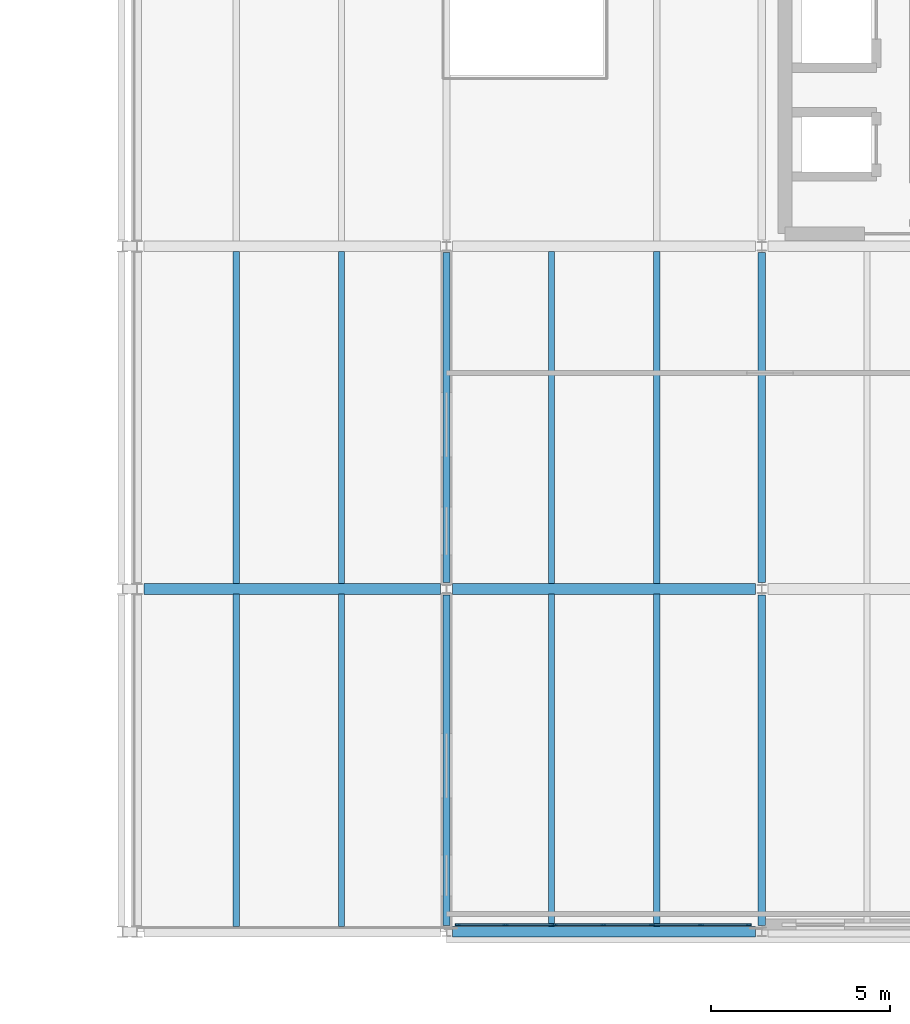
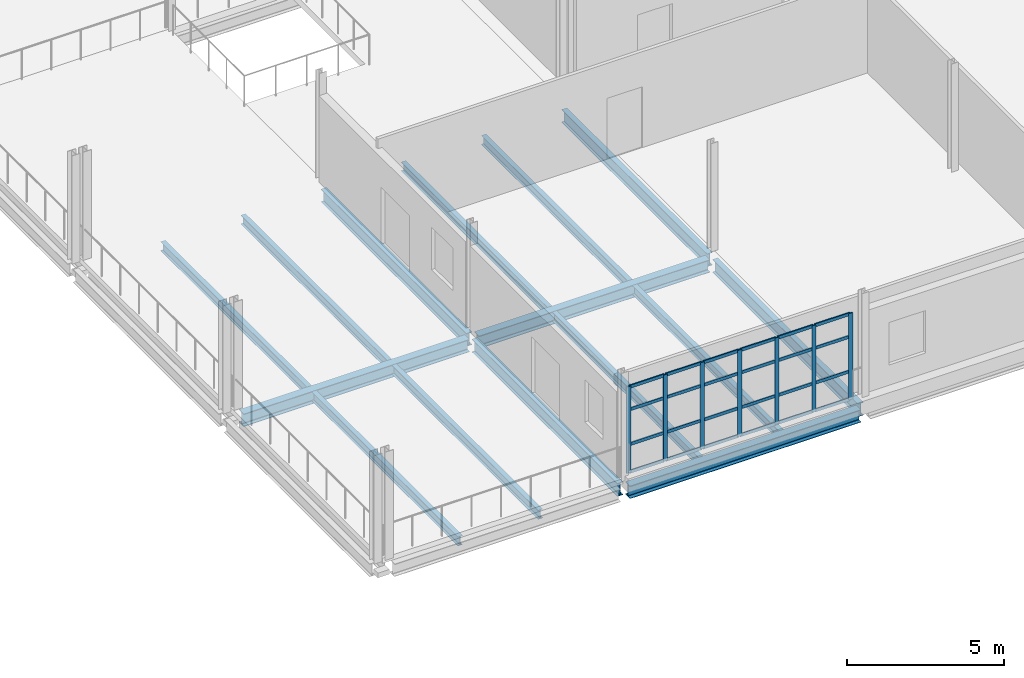
# One storey, part 29 of 58: 31 members, 15 beams, 1 element without a shape of its own.
"""IFC4 building model written with IfcOpenShell, lengths in metres."""

from ifc_helpers import new_model, si_unit, direction, frame, origin, origin_2d, place, context, subcontext, project, spatial, rectangle, i_section, extrude, material, layer, layer_set, material_profile, profile_set, type_object, element, aggregate, save


model = new_model("IFC4")

# Units and contexts
model_context = context("Model", 3, precision=1e-05, world=origin(), true_north=direction((0.0, 1.0)))
body_context = subcontext(model_context, "Body", "Model", "MODEL_VIEW")
ifc_project = project(units=[si_unit("LENGTHUNIT", "METRE"), si_unit("AREAUNIT", "SQUARE_METRE"), si_unit("VOLUMEUNIT", "CUBIC_METRE"), si_unit("PLANEANGLEUNIT", "RADIAN"), si_unit("MASSUNIT", "GRAM", prefix="KILO")], contexts=[model_context])

# Site, building, storey
site_placement = place(None, origin())
site = spatial("IfcSite", under=ifc_project, at=site_placement, CompositionType="ELEMENT")
building_placement = place(site_placement, origin())
building = spatial("IfcBuilding", under=site, at=building_placement, Name="Yeouljin Market Hall", CompositionType="ELEMENT")
storey_placement = place(building_placement, frame((0.0, 0.0, 10.800048828125)))
storey = spatial("IfcBuildingStorey", under=building, at=storey_placement, Name="L02", CompositionType="ELEMENT", Elevation=10.800048828125)

# Beams
ifc_material_1 = material(Name="Steel SM355", Category="steel")
ifc_material_profile_1 = material_profile(ifc_material_1, i_section(OverallWidth=0.199951171875, OverallDepth=0.5, WebThickness=0.010009765625, FlangeThickness=0.01611328125, FilletRadius=0.02001953125, at=origin_2d()), Name="H-500x200x10x16")
ifc_profile_set_1 = profile_set([ifc_material_profile_1], Name="Steel SM355")
beam_type_1 = type_object("IfcBeamType", Name="Beam_H-500x200x10x16", PredefinedType="BEAM", material=ifc_profile_set_1)
for number, where, z_axis, x_axis, name in (
    (1, (149.909912109375, 0.175048828125, -0.51513671875), (0.0, 1.0, 0.0), (-1.0, 0.0, 0.0), "Primary beam BM-L02-Y139"),
    (2, (149.909912109375, 9.77490234375, -0.51513671875), (0.0, 1.0, 0.0), (-1.0, 0.0, 0.0), "Primary beam BM-L02-Y140"),
    (3, (158.739990234375, 0.175048828125, -0.51513671875), (0.0, 1.0, 0.0), (-1.0, 0.0, 0.0), "Primary beam BM-L02-Y142"),
    (4, (158.739990234375, 9.77490234375, -0.51513671875), (0.0, 1.0, 0.0), (-1.0, 0.0, 0.0), "Primary beam BM-L02-Y143"),
):
    element("IfcBeam", number, at=place(storey_placement, frame(where, z_axis=z_axis, x_axis=x_axis)), inside=storey, type_object=beam_type_1, Name=name, PredefinedType="BEAM", context=body_context, shape_type="SweptSolid", body=[
        extrude(i_section(OverallWidth=0.199951171875, OverallDepth=0.5, WebThickness=0.010009765625, FlangeThickness=0.01611328125, FilletRadius=0.02001953125, at=origin_2d()), origin(), (0.0, 0.0, 1.0), 9.25),
    ])

# Curtain wall, members
ifc_material_2 = material(Name="Thermally Broken Aluminium", Category="aluminium")
ifc_layer = layer(ifc_material_2, 0.14990234375)
ifc_layer_set = layer_set([ifc_layer], Name="Thermally Broken Aluminium")
curtain_wall_type = type_object("IfcCurtainWallType", Name="CW_AcademyRibbon_System", PredefinedType="USERDEFINED", material=ifc_layer_set)
curtain_wall_placement = place(storey_placement, origin())
curtain_wall = element("IfcCurtainWall", 5, at=curtain_wall_placement, inside=storey, type_object=curtain_wall_type, Name="Curtain wall CW-L02-W10", ObjectType="CURTAIN WALL", PredefinedType="USERDEFINED")
ifc_material_3 = material(Name="Thermally Broken Aluminium", Category="aluminium")
ifc_material_profile_2 = material_profile(ifc_material_3, rectangle(XDim=0.048095703125, YDim=0.14990234375, at=origin_2d()), Name="CW-MULL-48x150")
ifc_profile_set_2 = profile_set([ifc_material_profile_2], Name="Thermally Broken Aluminium")
member_type_1 = type_object("IfcMemberType", Name="CWMullion_48x150", PredefinedType="MULLION", material=ifc_profile_set_2)
member_1_placement = place(storey_placement, frame((158.3759765625, 0.199951171875, 0.0), z_axis=(0.0, 0.0, 1.0), x_axis=(0.0, -1.0, 0.0)))
member_1 = element("IfcMember", 6, at=member_1_placement, type_object=member_type_1, Name="CW-05 mullion 1", PredefinedType="MULLION", context=body_context, shape_type="SweptSolid", body=[
    extrude(rectangle(XDim=0.048095703125, YDim=0.14990234375, at=origin_2d()), origin(), (0.0, 0.0, 1.0), 3.349853515625),
])
member_2_placement = place(storey_placement, frame((157.033447265625, 0.199951171875, 0.0), z_axis=(0.0, 0.0, 1.0), x_axis=(0.0, -1.0, 0.0)))
member_2 = element("IfcMember", 7, at=member_2_placement, type_object=member_type_1, Name="CW-05 mullion 2", PredefinedType="MULLION", context=body_context, shape_type="SweptSolid", body=[
    extrude(rectangle(XDim=0.048095703125, YDim=0.14990234375, at=origin_2d()), origin(), (0.0, 0.0, 1.0), 3.349853515625),
])
member_3_placement = place(storey_placement, frame((155.666748046875, 0.199951171875, 0.0), z_axis=(0.0, 0.0, 1.0), x_axis=(0.0, -1.0, 0.0)))
member_3 = element("IfcMember", 8, at=member_3_placement, type_object=member_type_1, Name="CW-05 mullion 3", PredefinedType="MULLION", context=body_context, shape_type="SweptSolid", body=[
    extrude(rectangle(XDim=0.048095703125, YDim=0.14990234375, at=origin_2d()), origin(), (0.0, 0.0, 1.0), 3.349853515625),
])
member_4_placement = place(storey_placement, frame((154.300048828125, 0.199951171875, 0.0), z_axis=(0.0, 0.0, 1.0), x_axis=(0.0, -1.0, 0.0)))
member_4 = element("IfcMember", 9, at=member_4_placement, type_object=member_type_1, Name="CW-05 mullion 4", PredefinedType="MULLION", context=body_context, shape_type="SweptSolid", body=[
    extrude(rectangle(XDim=0.048095703125, YDim=0.14990234375, at=origin_2d()), origin(), (0.0, 0.0, 1.0), 3.349853515625),
])
member_5_placement = place(storey_placement, frame((152.933349609375, 0.199951171875, 0.0), z_axis=(0.0, 0.0, 1.0), x_axis=(0.0, -1.0, 0.0)))
member_5 = element("IfcMember", 10, at=member_5_placement, type_object=member_type_1, Name="CW-05 mullion 5", PredefinedType="MULLION", context=body_context, shape_type="SweptSolid", body=[
    extrude(rectangle(XDim=0.048095703125, YDim=0.14990234375, at=origin_2d()), origin(), (0.0, 0.0, 1.0), 3.349853515625),
])
member_6_placement = place(storey_placement, frame((151.566650390625, 0.199951171875, 0.0), z_axis=(0.0, 0.0, 1.0), x_axis=(0.0, -1.0, 0.0)))
member_6 = element("IfcMember", 11, at=member_6_placement, type_object=member_type_1, Name="CW-05 mullion 6", PredefinedType="MULLION", context=body_context, shape_type="SweptSolid", body=[
    extrude(rectangle(XDim=0.048095703125, YDim=0.14990234375, at=origin_2d()), origin(), (0.0, 0.0, 1.0), 3.349853515625),
])
member_7_placement = place(storey_placement, frame((150.22412109375, 0.199951171875, 0.0), z_axis=(0.0, 0.0, 1.0), x_axis=(0.0, -1.0, 0.0)))
member_7 = element("IfcMember", 12, at=member_7_placement, type_object=member_type_1, Name="CW-05 mullion 7", PredefinedType="MULLION", context=body_context, shape_type="SweptSolid", body=[
    extrude(rectangle(XDim=0.048095703125, YDim=0.14990234375, at=origin_2d()), origin(), (0.0, 0.0, 1.0), 3.349853515625),
])
ifc_material_4 = material(Name="Thermally Broken Aluminium", Category="aluminium")
ifc_material_profile_3 = material_profile(ifc_material_4, rectangle(XDim=0.048095703125, YDim=0.1201171875, at=origin_2d()), Name="CW-TRAN-48x120")
ifc_profile_set_3 = profile_set([ifc_material_profile_3], Name="Thermally Broken Aluminium")
member_type_2 = type_object("IfcMemberType", Name="CWTransom_48x120", PredefinedType="USERDEFINED", material=ifc_profile_set_3)
member_8_placement = place(storey_placement, frame((158.35205078125, 0.199951171875, 0.02392578125), z_axis=(-1.0, 0.0, 0.0), x_axis=(0.0, -1.0, 0.0)))
member_8 = element("IfcMember", 13, at=member_8_placement, type_object=member_type_2, Name="CW-05 transom 1.1", ObjectType="TRANSOM", PredefinedType="USERDEFINED", context=body_context, shape_type="SweptSolid", body=[
    extrude(rectangle(XDim=0.048095703125, YDim=0.1201171875, at=origin_2d()), origin(), (0.0, 0.0, 1.0), 1.294677734375),
])
member_9_placement = place(storey_placement, frame((158.35205078125, 0.199951171875, 1.099853515625), z_axis=(-1.0, 0.0, 0.0), x_axis=(0.0, -1.0, 0.0)))
member_9 = element("IfcMember", 14, at=member_9_placement, type_object=member_type_2, Name="CW-05 transom 1.2", ObjectType="TRANSOM", PredefinedType="USERDEFINED", context=body_context, shape_type="SweptSolid", body=[
    extrude(rectangle(XDim=0.048095703125, YDim=0.1201171875, at=origin_2d()), origin(), (0.0, 0.0, 1.0), 1.294677734375),
])
member_10_placement = place(storey_placement, frame((158.35205078125, 0.199951171875, 2.449951171875), z_axis=(-1.0, 0.0, 0.0), x_axis=(0.0, -1.0, 0.0)))
member_10 = element("IfcMember", 15, at=member_10_placement, type_object=member_type_2, Name="CW-05 transom 1.3", ObjectType="TRANSOM", PredefinedType="USERDEFINED", context=body_context, shape_type="SweptSolid", body=[
    extrude(rectangle(XDim=0.048095703125, YDim=0.1201171875, at=origin_2d()), origin(), (0.0, 0.0, 1.0), 1.294677734375),
])
member_11_placement = place(storey_placement, frame((158.35205078125, 0.199951171875, 3.325927734375), z_axis=(-1.0, 0.0, 0.0), x_axis=(0.0, -1.0, 0.0)))
member_11 = element("IfcMember", 16, at=member_11_placement, type_object=member_type_2, Name="CW-05 transom 1.4", ObjectType="TRANSOM", PredefinedType="USERDEFINED", context=body_context, shape_type="SweptSolid", body=[
    extrude(rectangle(XDim=0.048095703125, YDim=0.1201171875, at=origin_2d()), origin(), (0.0, 0.0, 1.0), 1.294677734375),
])
member_12_placement = place(storey_placement, frame((157.00927734375, 0.199951171875, 0.02392578125), z_axis=(-1.0, 0.0, 0.0), x_axis=(0.0, -1.0, 0.0)))
member_12 = element("IfcMember", 17, at=member_12_placement, type_object=member_type_2, Name="CW-05 transom 2.1", ObjectType="TRANSOM", PredefinedType="USERDEFINED", context=body_context, shape_type="SweptSolid", body=[
    extrude(rectangle(XDim=0.048095703125, YDim=0.1201171875, at=origin_2d()), origin(), (0.0, 0.0, 1.0), 1.318603515625),
])
member_13_placement = place(storey_placement, frame((157.00927734375, 0.199951171875, 1.099853515625), z_axis=(-1.0, 0.0, 0.0), x_axis=(0.0, -1.0, 0.0)))
member_13 = element("IfcMember", 18, at=member_13_placement, type_object=member_type_2, Name="CW-05 transom 2.2", ObjectType="TRANSOM", PredefinedType="USERDEFINED", context=body_context, shape_type="SweptSolid", body=[
    extrude(rectangle(XDim=0.048095703125, YDim=0.1201171875, at=origin_2d()), origin(), (0.0, 0.0, 1.0), 1.318603515625),
])
member_14_placement = place(storey_placement, frame((157.00927734375, 0.199951171875, 2.449951171875), z_axis=(-1.0, 0.0, 0.0), x_axis=(0.0, -1.0, 0.0)))
member_14 = element("IfcMember", 19, at=member_14_placement, type_object=member_type_2, Name="CW-05 transom 2.3", ObjectType="TRANSOM", PredefinedType="USERDEFINED", context=body_context, shape_type="SweptSolid", body=[
    extrude(rectangle(XDim=0.048095703125, YDim=0.1201171875, at=origin_2d()), origin(), (0.0, 0.0, 1.0), 1.318603515625),
])
member_15_placement = place(storey_placement, frame((157.00927734375, 0.199951171875, 3.325927734375), z_axis=(-1.0, 0.0, 0.0), x_axis=(0.0, -1.0, 0.0)))
member_15 = element("IfcMember", 20, at=member_15_placement, type_object=member_type_2, Name="CW-05 transom 2.4", ObjectType="TRANSOM", PredefinedType="USERDEFINED", context=body_context, shape_type="SweptSolid", body=[
    extrude(rectangle(XDim=0.048095703125, YDim=0.1201171875, at=origin_2d()), origin(), (0.0, 0.0, 1.0), 1.318603515625),
])
member_16_placement = place(storey_placement, frame((155.642578125, 0.199951171875, 0.02392578125), z_axis=(-1.0, 0.0, 0.0), x_axis=(0.0, -1.0, 0.0)))
member_16 = element("IfcMember", 21, at=member_16_placement, type_object=member_type_2, Name="CW-05 transom 3.1", ObjectType="TRANSOM", PredefinedType="USERDEFINED", context=body_context, shape_type="SweptSolid", body=[
    extrude(rectangle(XDim=0.048095703125, YDim=0.1201171875, at=origin_2d()), origin(), (0.0, 0.0, 1.0), 1.318603515625),
])
member_17_placement = place(storey_placement, frame((155.642578125, 0.199951171875, 1.099853515625), z_axis=(-1.0, 0.0, 0.0), x_axis=(0.0, -1.0, 0.0)))
member_17 = element("IfcMember", 22, at=member_17_placement, type_object=member_type_2, Name="CW-05 transom 3.2", ObjectType="TRANSOM", PredefinedType="USERDEFINED", context=body_context, shape_type="SweptSolid", body=[
    extrude(rectangle(XDim=0.048095703125, YDim=0.1201171875, at=origin_2d()), origin(), (0.0, 0.0, 1.0), 1.318603515625),
])
member_18_placement = place(storey_placement, frame((155.642578125, 0.199951171875, 2.449951171875), z_axis=(-1.0, 0.0, 0.0), x_axis=(0.0, -1.0, 0.0)))
member_18 = element("IfcMember", 23, at=member_18_placement, type_object=member_type_2, Name="CW-05 transom 3.3", ObjectType="TRANSOM", PredefinedType="USERDEFINED", context=body_context, shape_type="SweptSolid", body=[
    extrude(rectangle(XDim=0.048095703125, YDim=0.1201171875, at=origin_2d()), origin(), (0.0, 0.0, 1.0), 1.318603515625),
])
member_19_placement = place(storey_placement, frame((155.642578125, 0.199951171875, 3.325927734375), z_axis=(-1.0, 0.0, 0.0), x_axis=(0.0, -1.0, 0.0)))
member_19 = element("IfcMember", 24, at=member_19_placement, type_object=member_type_2, Name="CW-05 transom 3.4", ObjectType="TRANSOM", PredefinedType="USERDEFINED", context=body_context, shape_type="SweptSolid", body=[
    extrude(rectangle(XDim=0.048095703125, YDim=0.1201171875, at=origin_2d()), origin(), (0.0, 0.0, 1.0), 1.318603515625),
])
member_20_placement = place(storey_placement, frame((154.27587890625, 0.199951171875, 0.02392578125), z_axis=(-1.0, 0.0, 0.0), x_axis=(0.0, -1.0, 0.0)))
member_20 = element("IfcMember", 25, at=member_20_placement, type_object=member_type_2, Name="CW-05 transom 4.1", ObjectType="TRANSOM", PredefinedType="USERDEFINED", context=body_context, shape_type="SweptSolid", body=[
    extrude(rectangle(XDim=0.048095703125, YDim=0.1201171875, at=origin_2d()), origin(), (0.0, 0.0, 1.0), 1.318603515625),
])
member_21_placement = place(storey_placement, frame((154.27587890625, 0.199951171875, 1.099853515625), z_axis=(-1.0, 0.0, 0.0), x_axis=(0.0, -1.0, 0.0)))
member_21 = element("IfcMember", 26, at=member_21_placement, type_object=member_type_2, Name="CW-05 transom 4.2", ObjectType="TRANSOM", PredefinedType="USERDEFINED", context=body_context, shape_type="SweptSolid", body=[
    extrude(rectangle(XDim=0.048095703125, YDim=0.1201171875, at=origin_2d()), origin(), (0.0, 0.0, 1.0), 1.318603515625),
])
member_22_placement = place(storey_placement, frame((154.27587890625, 0.199951171875, 2.449951171875), z_axis=(-1.0, 0.0, 0.0), x_axis=(0.0, -1.0, 0.0)))
member_22 = element("IfcMember", 27, at=member_22_placement, type_object=member_type_2, Name="CW-05 transom 4.3", ObjectType="TRANSOM", PredefinedType="USERDEFINED", context=body_context, shape_type="SweptSolid", body=[
    extrude(rectangle(XDim=0.048095703125, YDim=0.1201171875, at=origin_2d()), origin(), (0.0, 0.0, 1.0), 1.318603515625),
])
member_23_placement = place(storey_placement, frame((154.27587890625, 0.199951171875, 3.325927734375), z_axis=(-1.0, 0.0, 0.0), x_axis=(0.0, -1.0, 0.0)))
member_23 = element("IfcMember", 28, at=member_23_placement, type_object=member_type_2, Name="CW-05 transom 4.4", ObjectType="TRANSOM", PredefinedType="USERDEFINED", context=body_context, shape_type="SweptSolid", body=[
    extrude(rectangle(XDim=0.048095703125, YDim=0.1201171875, at=origin_2d()), origin(), (0.0, 0.0, 1.0), 1.318603515625),
])
member_24_placement = place(storey_placement, frame((152.909423828125, 0.199951171875, 0.02392578125), z_axis=(-1.0, 0.0, 0.0), x_axis=(0.0, -1.0, 0.0)))
member_24 = element("IfcMember", 29, at=member_24_placement, type_object=member_type_2, Name="CW-05 transom 5.1", ObjectType="TRANSOM", PredefinedType="USERDEFINED", context=body_context, shape_type="SweptSolid", body=[
    extrude(rectangle(XDim=0.048095703125, YDim=0.1201171875, at=origin_2d()), origin(), (0.0, 0.0, 1.0), 1.31884765625),
])
member_25_placement = place(storey_placement, frame((152.909423828125, 0.199951171875, 1.099853515625), z_axis=(-1.0, 0.0, 0.0), x_axis=(0.0, -1.0, 0.0)))
member_25 = element("IfcMember", 30, at=member_25_placement, type_object=member_type_2, Name="CW-05 transom 5.2", ObjectType="TRANSOM", PredefinedType="USERDEFINED", context=body_context, shape_type="SweptSolid", body=[
    extrude(rectangle(XDim=0.048095703125, YDim=0.1201171875, at=origin_2d()), origin(), (0.0, 0.0, 1.0), 1.31884765625),
])
member_26_placement = place(storey_placement, frame((152.909423828125, 0.199951171875, 2.449951171875), z_axis=(-1.0, 0.0, 0.0), x_axis=(0.0, -1.0, 0.0)))
member_26 = element("IfcMember", 31, at=member_26_placement, type_object=member_type_2, Name="CW-05 transom 5.3", ObjectType="TRANSOM", PredefinedType="USERDEFINED", context=body_context, shape_type="SweptSolid", body=[
    extrude(rectangle(XDim=0.048095703125, YDim=0.1201171875, at=origin_2d()), origin(), (0.0, 0.0, 1.0), 1.31884765625),
])
member_27_placement = place(storey_placement, frame((152.909423828125, 0.199951171875, 3.325927734375), z_axis=(-1.0, 0.0, 0.0), x_axis=(0.0, -1.0, 0.0)))
member_27 = element("IfcMember", 32, at=member_27_placement, type_object=member_type_2, Name="CW-05 transom 5.4", ObjectType="TRANSOM", PredefinedType="USERDEFINED", context=body_context, shape_type="SweptSolid", body=[
    extrude(rectangle(XDim=0.048095703125, YDim=0.1201171875, at=origin_2d()), origin(), (0.0, 0.0, 1.0), 1.31884765625),
])
member_28_placement = place(storey_placement, frame((151.542724609375, 0.199951171875, 0.02392578125), z_axis=(-1.0, 0.0, 0.0), x_axis=(0.0, -1.0, 0.0)))
member_28 = element("IfcMember", 33, at=member_28_placement, type_object=member_type_2, Name="CW-05 transom 6.1", ObjectType="TRANSOM", PredefinedType="USERDEFINED", context=body_context, shape_type="SweptSolid", body=[
    extrude(rectangle(XDim=0.048095703125, YDim=0.1201171875, at=origin_2d()), origin(), (0.0, 0.0, 1.0), 1.294677734375),
])
member_29_placement = place(storey_placement, frame((151.542724609375, 0.199951171875, 1.099853515625), z_axis=(-1.0, 0.0, 0.0), x_axis=(0.0, -1.0, 0.0)))
member_29 = element("IfcMember", 34, at=member_29_placement, type_object=member_type_2, Name="CW-05 transom 6.2", ObjectType="TRANSOM", PredefinedType="USERDEFINED", context=body_context, shape_type="SweptSolid", body=[
    extrude(rectangle(XDim=0.048095703125, YDim=0.1201171875, at=origin_2d()), origin(), (0.0, 0.0, 1.0), 1.294677734375),
])
member_30_placement = place(storey_placement, frame((151.542724609375, 0.199951171875, 2.449951171875), z_axis=(-1.0, 0.0, 0.0), x_axis=(0.0, -1.0, 0.0)))
member_30 = element("IfcMember", 35, at=member_30_placement, type_object=member_type_2, Name="CW-05 transom 6.3", ObjectType="TRANSOM", PredefinedType="USERDEFINED", context=body_context, shape_type="SweptSolid", body=[
    extrude(rectangle(XDim=0.048095703125, YDim=0.1201171875, at=origin_2d()), origin(), (0.0, 0.0, 1.0), 1.294677734375),
])
member_31_placement = place(storey_placement, frame((151.542724609375, 0.199951171875, 3.325927734375), z_axis=(-1.0, 0.0, 0.0), x_axis=(0.0, -1.0, 0.0)))
member_31 = element("IfcMember", 36, at=member_31_placement, type_object=member_type_2, Name="CW-05 transom 6.4", ObjectType="TRANSOM", PredefinedType="USERDEFINED", context=body_context, shape_type="SweptSolid", body=[
    extrude(rectangle(XDim=0.048095703125, YDim=0.1201171875, at=origin_2d()), origin(), (0.0, 0.0, 1.0), 1.294677734375),
])
aggregate(curtain_wall, [member_1, member_2, member_3, member_4, member_5, member_6, member_7, member_8, member_9, member_10, member_11, member_12, member_13, member_14, member_15, member_16, member_17, member_18, member_19, member_20, member_21, member_22, member_23, member_24, member_25, member_26, member_27, member_28, member_29, member_30, member_31])

# Beams
ifc_material_5 = material(Name="Steel SM355", Category="steel")
ifc_material_profile_4 = material_profile(ifc_material_5, i_section(OverallWidth=0.300048828125, OverallDepth=0.488037109375, WebThickness=0.010986328125, FlangeThickness=0.01806640625, FilletRadius=0.02197265625, at=origin_2d()), Name="H-488x300x11x18")
ifc_profile_set_4 = profile_set([ifc_material_profile_4], Name="Steel SM355")
beam_type_2 = type_object("IfcBeamType", Name="Girder_H-488x300x11x18", PredefinedType="USERDEFINED", material=ifc_profile_set_4)
beam_1_placement = place(storey_placement, frame((150.0849609375, 0.0, -0.509033203125), z_axis=(1.0, 0.0, 0.0), x_axis=(0.0, 1.0, 0.0)))
element("IfcBeam", 37, at=beam_1_placement, inside=storey, type_object=beam_type_2, Name="Primary girder GRD-L02-X006", ObjectType="GIRDER", PredefinedType="USERDEFINED", context=body_context, shape_type="SweptSolid", body=[
    extrude(i_section(OverallWidth=0.300048828125, OverallDepth=0.488037109375, WebThickness=0.010986328125, FlangeThickness=0.01806640625, FilletRadius=0.02197265625, at=origin_2d()), origin(), (0.0, 0.0, 1.0), 8.47998046875),
])
beam_2_placement = place(storey_placement, frame((141.445068359375, 9.60009765625, -0.509033203125), z_axis=(1.0, 0.0, 0.0), x_axis=(0.0, 1.0, 0.0)))
element("IfcBeam", 38, at=beam_2_placement, inside=storey, type_object=beam_type_2, Name="Primary girder GRD-L02-X013", ObjectType="GIRDER", PredefinedType="USERDEFINED", context=body_context, shape_type="SweptSolid", body=[
    extrude(i_section(OverallWidth=0.300048828125, OverallDepth=0.488037109375, WebThickness=0.010986328125, FlangeThickness=0.01806640625, FilletRadius=0.02197265625, at=origin_2d()), origin(), (0.0, 0.0, 1.0), 8.2900390625),
])
beam_3_placement = place(storey_placement, frame((150.0849609375, 9.60009765625, -0.509033203125), z_axis=(1.0, 0.0, 0.0), x_axis=(0.0, 1.0, 0.0)))
element("IfcBeam", 39, at=beam_3_placement, inside=storey, type_object=beam_type_2, Name="Primary girder GRD-L02-X014", ObjectType="GIRDER", PredefinedType="USERDEFINED", context=body_context, shape_type="SweptSolid", body=[
    extrude(i_section(OverallWidth=0.300048828125, OverallDepth=0.488037109375, WebThickness=0.010986328125, FlangeThickness=0.01806640625, FilletRadius=0.02197265625, at=origin_2d()), origin(), (0.0, 0.0, 1.0), 8.47998046875),
])
ifc_material_6 = material(Name="Steel SM355", Category="steel")
ifc_material_profile_5 = material_profile(ifc_material_6, i_section(OverallWidth=0.175048828125, OverallDepth=0.35009765625, WebThickness=0.007080078125, FlangeThickness=0.010986328125, FilletRadius=0.013916015625, at=origin_2d()), Name="H-350x175x7x11")
ifc_profile_set_5 = profile_set([ifc_material_profile_5], Name="Steel SM355")
beam_type_3 = type_object("IfcBeamType", Name="Joist_H-350x175x7x11", PredefinedType="JOIST", material=ifc_profile_set_5)
for number, where, z_axis, x_axis, name in (
    (40, (144.023193359375, 0.14697265625, -0.43994140625), (0.0, 1.0, 0.0), (-1.0, 0.0, 0.0), "Secondary floor joist L02-063"),
    (41, (146.966796875, 0.14697265625, -0.43994140625), (0.0, 1.0, 0.0), (-1.0, 0.0, 0.0), "Secondary floor joist L02-064"),
    (42, (144.023193359375, 9.7470703125, -0.43994140625), (0.0, 1.0, 0.0), (-1.0, 0.0, 0.0), "Secondary floor joist L02-065"),
    (43, (146.966796875, 9.7470703125, -0.43994140625), (0.0, 1.0, 0.0), (-1.0, 0.0, 0.0), "Secondary floor joist L02-066"),
    (44, (152.853271484375, 0.14697265625, -0.43994140625), (0.0, 1.0, 0.0), (-1.0, 0.0, 0.0), "Secondary floor joist L02-069"),
    (45, (155.796630859375, 0.14697265625, -0.43994140625), (0.0, 1.0, 0.0), (-1.0, 0.0, 0.0), "Secondary floor joist L02-070"),
    (46, (152.853271484375, 9.7470703125, -0.43994140625), (0.0, 1.0, 0.0), (-1.0, 0.0, 0.0), "Secondary floor joist L02-071"),
    (47, (155.796630859375, 9.7470703125, -0.43994140625), (0.0, 1.0, 0.0), (-1.0, 0.0, 0.0), "Secondary floor joist L02-072"),
):
    element("IfcBeam", number, at=place(storey_placement, frame(where, z_axis=z_axis, x_axis=x_axis)), inside=storey, type_object=beam_type_3, Name=name, PredefinedType="JOIST", context=body_context, shape_type="SweptSolid", body=[
        extrude(i_section(OverallWidth=0.175048828125, OverallDepth=0.35009765625, WebThickness=0.007080078125, FlangeThickness=0.010986328125, FilletRadius=0.013916015625, at=origin_2d()), origin(), (0.0, 0.0, 1.0), 9.305908203125),
    ])

save(model, "model.ifc")
